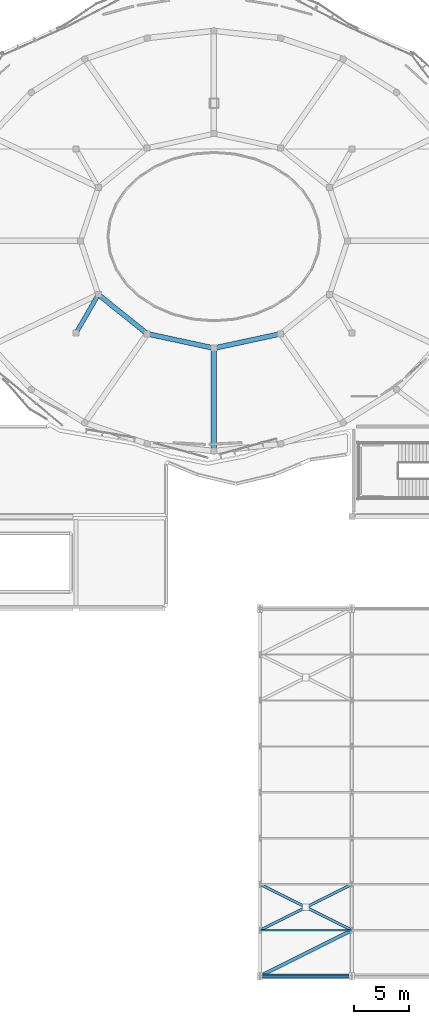
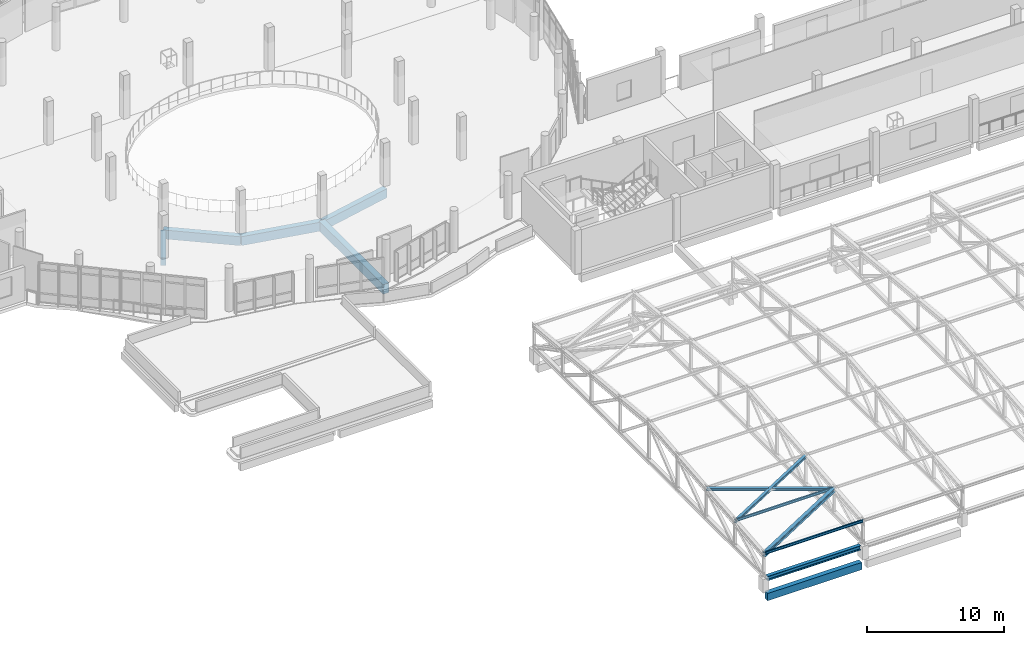
# One storey, part 11 of 74: 7 beams, 6 members.
"""IFC4 building model written with IfcOpenShell, lengths in metres."""

from ifc_helpers import new_model, si_unit, derived_unit, direction, frame, origin, origin_2d, place, context, subcontext, project, spatial, rectangle, i_section, extrude, material, material_profile, profile_set, type_object, element, save


model = new_model("IFC4")

# Units and contexts
model_context = context("Model", 3, precision=1e-05, world=origin(), true_north=direction((0.0, 1.0)))
body_context = subcontext(model_context, "Body", "Model", "MODEL_VIEW")
ifc_project = project(units=[si_unit("LENGTHUNIT", "METRE"), si_unit("AREAUNIT", "SQUARE_METRE"), si_unit("VOLUMEUNIT", "CUBIC_METRE"), si_unit("PLANEANGLEUNIT", "RADIAN"), si_unit("MASSUNIT", "GRAM", prefix="KILO"), derived_unit("THERMALTRANSMITTANCEUNIT", [(si_unit("POWERUNIT", "WATT"), 1), (si_unit("LENGTHUNIT", "METRE"), -2), (si_unit("THERMODYNAMICTEMPERATUREUNIT", "KELVIN"), -1)])], contexts=[model_context])

# Site, building, storey
site_placement = place(None, origin())
site = spatial("IfcSite", under=ifc_project, at=site_placement, CompositionType="ELEMENT")
building_placement = place(site_placement, origin())
building = spatial("IfcBuilding", under=site, at=building_placement, Name="Elbkamm Science Centre", CompositionType="ELEMENT")
storey_placement = place(building_placement, frame((0.0, 0.0, 14.39990234375)))
storey = spatial("IfcBuildingStorey", under=building, at=storey_placement, Name="L03", CompositionType="ELEMENT", Elevation=14.39990234375)

# Beams
ifc_material_1 = material(Name="Concrete C40/50", Category="concrete")
ifc_material_profile_1 = material_profile(ifc_material_1, rectangle(XDim=0.39990234375, YDim=0.64990234375, at=origin_2d()), Name="RC 400x650")
ifc_profile_set_1 = profile_set([ifc_material_profile_1], Name="Concrete C40/50")
beam_type_1 = type_object("IfcBeamType", Name="BM-RC-400x650", PredefinedType="BEAM", material=ifc_profile_set_1)
beam_1_placement = place(storey_placement, frame((67.419921875, 0.0, -0.60498046875), z_axis=(1.0, 0.0, 0.0), x_axis=(0.0, 1.0, 0.0)))
element("IfcBeam", 1, at=beam_1_placement, inside=storey, type_object=beam_type_1, Name="L03 Perimeter Ring Tie Girder 049", PredefinedType="BEAM", context=body_context, shape_type="SweptSolid", body=[
    extrude(rectangle(XDim=0.39990234375, YDim=0.64990234375, at=origin_2d()), origin(), (0.0, 0.0, 1.0), 7.9599609375),
])
beam_2_placement = place(storey_placement, frame((50.510498046875, 58.990234375, -0.60498046875), z_axis=(0.502465212806, 0.864597426506, 0.0), x_axis=(-0.864597426506, 0.502465212806, 0.0)))
element("IfcBeam", 2, at=beam_2_placement, inside=storey, type_object=beam_type_1, Name="L03 Perimeter Ring Tie Girder 057", PredefinedType="BEAM", context=body_context, shape_type="SweptSolid", body=[
    extrude(rectangle(XDim=0.39990234375, YDim=0.64990234375, at=origin_2d()), origin(), (0.0, 0.0, 1.0), 3.608154296875),
])
ifc_material_profile_2 = material_profile(ifc_material_1, rectangle(XDim=0.449951171875, YDim=0.800048828125, at=origin_2d()), Name="RC 450x800")
ifc_profile_set_2 = profile_set([ifc_material_profile_2], Name="Concrete C40/50")
beam_type_2 = type_object("IfcBeamType", Name="BM-RC-450x800", PredefinedType="BEAM", material=ifc_profile_set_2)
beam_3_placement = place(storey_placement, frame((52.43408203125, 62.300048828125, -0.679931640625), z_axis=(0.779632299843, -0.626237556396, 0.0), x_axis=(0.626237556396, 0.779632299843, 0.0)))
element("IfcBeam", 3, at=beam_3_placement, inside=storey, type_object=beam_type_2, Name="L03 Atrium Ring Girder 08", PredefinedType="BEAM", context=body_context, shape_type="SweptSolid", body=[
    extrude(rectangle(XDim=0.449951171875, YDim=0.800048828125, at=origin_2d()), origin(), (0.0, 0.0, 1.0), 5.72802734375),
])
for number, where, z_axis, x_axis, name in (
    (4, (56.89990234375, 58.712890625, -0.679931640625), (0.97761076487, -0.210421463759, 0.0), (0.210421463759, 0.97761076487, 0.0), "L03 Atrium Ring Girder 09"),
    (5, (63.0, 57.39990234375, -0.679931640625), (0.97761076487, 0.210421463759, 0.0), (-0.210421463759, 0.97761076487, 0.0), "L03 Atrium Ring Girder 10"),
):
    element("IfcBeam", number, at=place(storey_placement, frame(where, z_axis=z_axis, x_axis=x_axis)), inside=storey, type_object=beam_type_2, Name=name, PredefinedType="BEAM", context=body_context, shape_type="SweptSolid", body=[
        extrude(rectangle(XDim=0.449951171875, YDim=0.800048828125, at=origin_2d()), origin(), (0.0, 0.0, 1.0), 6.23974609375),
    ])
ifc_material_profile_3 = material_profile(ifc_material_1, rectangle(XDim=0.5, YDim=0.85009765625, at=origin_2d()), Name="RC 500x850")
ifc_profile_set_3 = profile_set([ifc_material_profile_3], Name="Concrete C40/50")
beam_type_3 = type_object("IfcBeamType", Name="BM-RC-500x850", PredefinedType="BEAM", material=ifc_profile_set_3)
beam_4_placement = place(storey_placement, frame((63.0, 57.39990234375, -0.704833984375), z_axis=(0.0, -1.0, 0.0), x_axis=(1.0, 0.0, 0.0)))
element("IfcBeam", 6, at=beam_4_placement, inside=storey, type_object=beam_type_3, Name="L03 Elliptical Radial Girder 10", PredefinedType="BEAM", context=body_context, shape_type="SweptSolid", body=[
    extrude(rectangle(XDim=0.5, YDim=0.85009765625, at=origin_2d()), origin(), (0.0, 0.0, 1.0), 9.39990234375),
])
ifc_material_2 = material(Name="Steel EN 10025-2 S355J2", Category="steel")
ifc_material_profile_4 = material_profile(ifc_material_2, i_section(OverallWidth=0.300048828125, OverallDepth=0.39990234375, WebThickness=0.013427734375, FlangeThickness=0.02392578125, FilletRadius=0.027099609375, at=origin_2d()), Name="HEB 400")
ifc_profile_set_4 = profile_set([ifc_material_profile_4], Name="Steel EN 10025-2 S355J2")
beam_type_4 = type_object("IfcBeamType", Name="BM-STL-HEB400", PredefinedType="BEAM", material=ifc_profile_set_4)
beam_5_placement = place(storey_placement, frame((67.449951171875, 0.0, 1.0), z_axis=(1.0, 0.0, 0.0), x_axis=(0.0, 1.0, 0.0)))
element("IfcBeam", 7, at=beam_5_placement, inside=storey, type_object=beam_type_4, Name="Theatre Eave Tie Girder S01", PredefinedType="SPANDREL", context=body_context, shape_type="SweptSolid", body=[
    extrude(i_section(OverallWidth=0.300048828125, OverallDepth=0.39990234375, WebThickness=0.013427734375, FlangeThickness=0.02392578125, FilletRadius=0.027099609375, at=origin_2d()), origin(), (0.0, 0.0, 1.0), 7.900146484375),
])

# Members
ifc_material_profile_5 = material_profile(ifc_material_2, i_section(OverallWidth=0.239990234375, OverallDepth=0.22998046875, WebThickness=0.007568359375, FlangeThickness=0.011962890625, FilletRadius=0.02099609375, at=origin_2d()), Name="HEA 240")
ifc_profile_set_5 = profile_set([ifc_material_profile_5], Name="Steel EN 10025-2 S355J2")
member_type_1 = type_object("IfcMemberType", Name="MEM-BRACE-HEA240", PredefinedType="BRACE", material=ifc_profile_set_5)
member_1_placement = place(storey_placement, frame((67.199951171875, 4.199951171875, 3.553955078125), z_axis=(0.893633454316, 0.446803740942, 0.042257146225), x_axis=(-0.447203197209, 0.89443239007, 0.0)))
element("IfcMember", 8, at=member_1_placement, inside=storey, type_object=member_type_1, Name="Theatre Roof Plan Continuous X-Brace B1-P2", PredefinedType="BRACE", context=body_context, shape_type="SweptSolid", body=[
    extrude(i_section(OverallWidth=0.239990234375, OverallDepth=0.22998046875, WebThickness=0.007568359375, FlangeThickness=0.011962890625, FilletRadius=0.02099609375, at=origin_2d()), origin(), (0.0, 0.0, 1.0), 9.39990234375),
])
for number, where, z_axis, x_axis, name in (
    (9, (67.199951171875, 8.39990234375, 3.951171875), (0.893639494466, -0.446792977133, -0.042243218569), (0.447192160157, 0.89443790835, 0.0), "Theatre Roof Plan Split X-Brace Segment 1 B1-P2"),
    (10, (71.525146484375, 6.2373046875, 3.74658203125), (0.893639494466, -0.446792977133, -0.042243218569), (0.447192160157, 0.89443790835, 0.0), "Theatre Roof Plan Split X-Brace Segment 2 B1-P2"),
):
    element("IfcMember", number, at=place(storey_placement, frame(where, z_axis=z_axis, x_axis=x_axis)), inside=storey, type_object=member_type_1, Name=name, PredefinedType="BRACE", context=body_context, shape_type="SweptSolid", body=[
        extrude(i_section(OverallWidth=0.239990234375, OverallDepth=0.22998046875, WebThickness=0.007568359375, FlangeThickness=0.011962890625, FilletRadius=0.02099609375, at=origin_2d()), origin(), (0.0, 0.0, 1.0), 4.56005859375),
    ])
ifc_material_profile_6 = material_profile(ifc_material_2, i_section(OverallWidth=0.300048828125, OverallDepth=0.35009765625, WebThickness=0.010009765625, FlangeThickness=0.017578125, FilletRadius=0.027099609375, at=origin_2d()), Name="HEA 360")
ifc_profile_set_6 = profile_set([ifc_material_profile_6], Name="Steel EN 10025-2 S355J2")
member_type_2 = type_object("IfcMemberType", Name="MEM-CHORD-HEA360", PredefinedType="CHORD", material=ifc_profile_set_6)
member_2_placement = place(storey_placement, frame((67.199951171875, 0.0, 3.156982421875), z_axis=(0.893634434798, 0.446804231169, 0.042231220129), x_axis=(-0.447203197209, 0.89443239007, 0.0)))
element("IfcMember", 11, at=member_2_placement, inside=storey, type_object=member_type_2, Name="Theatre Roof Plan Tie Chord 1-1", PredefinedType="CHORD", context=body_context, shape_type="SweptSolid", body=[
    extrude(i_section(OverallWidth=0.300048828125, OverallDepth=0.35009765625, WebThickness=0.010009765625, FlangeThickness=0.017578125, FilletRadius=0.027099609375, at=origin_2d()), origin(), (0.0, 0.0, 1.0), 9.39990234375),
])
ifc_material_profile_7 = material_profile(ifc_material_2, i_section(OverallWidth=0.1201171875, OverallDepth=0.239990234375, WebThickness=0.006103515625, FlangeThickness=0.009765625, FilletRadius=0.014892578125, at=origin_2d()), Name="IPE 240")
ifc_profile_set_7 = profile_set([ifc_material_profile_7], Name="Steel EN 10025-2 S355J2")
member_type_3 = type_object("IfcMemberType", Name="MEM-PURLIN-IPE240", PredefinedType="PURLIN", material=ifc_profile_set_7)
for number, where, z_axis, x_axis, name in (
    (12, (67.199951171875, 0.0, 3.257080078125), (1.0, 0.0, 0.0), (0.0, 1.0, 0.0), "Theatre Roof Purlin Bay 1-1"),
    (13, (67.199951171875, 4.199951171875, 3.654052734375), (1.0, 0.0, 0.0), (0.0, 1.0, 0.0), "Theatre Roof Purlin Bay 1-2"),
):
    element("IfcMember", number, at=place(storey_placement, frame(where, z_axis=z_axis, x_axis=x_axis)), inside=storey, type_object=member_type_3, Name=name, PredefinedType="PURLIN", context=body_context, shape_type="SweptSolid", body=[
        extrude(i_section(OverallWidth=0.1201171875, OverallDepth=0.239990234375, WebThickness=0.006103515625, FlangeThickness=0.009765625, FilletRadius=0.014892578125, at=origin_2d()), origin(), (0.0, 0.0, 1.0), 8.400146484375),
    ])

save(model, "model.ifc")
